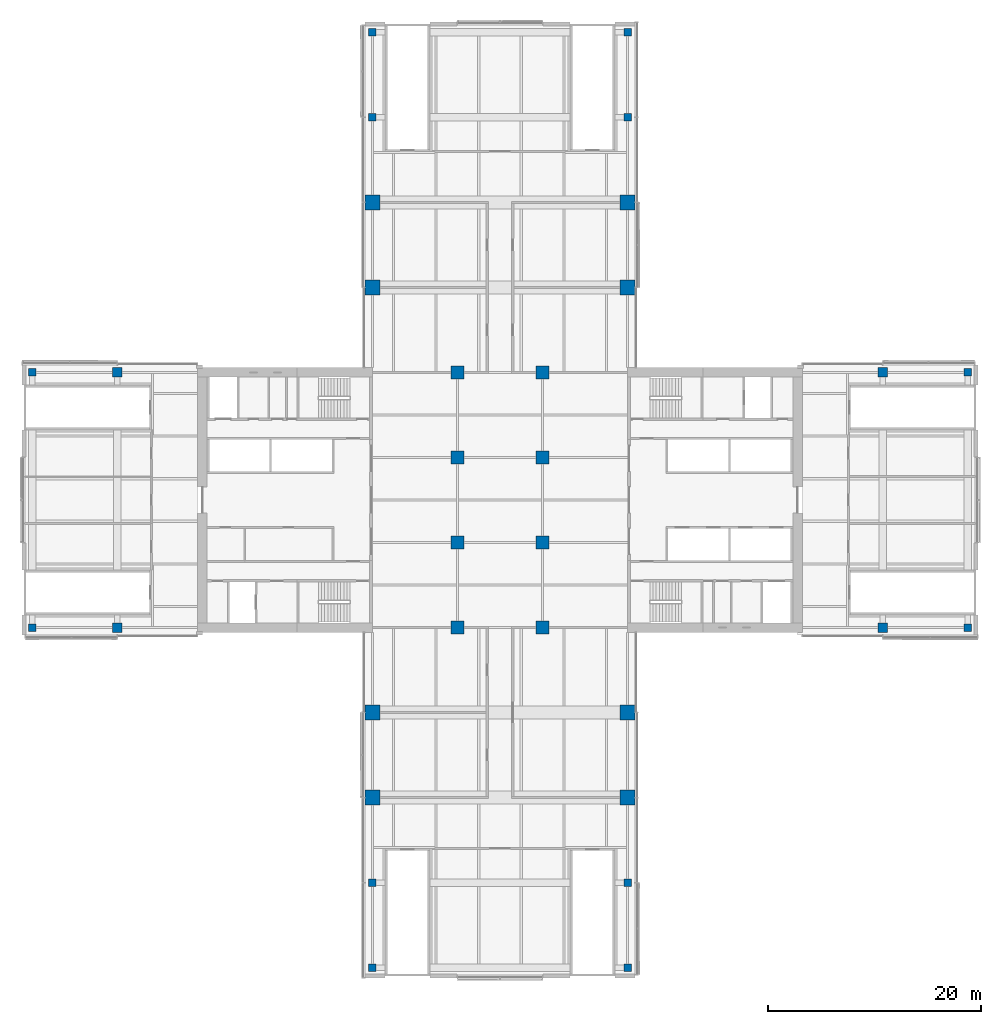
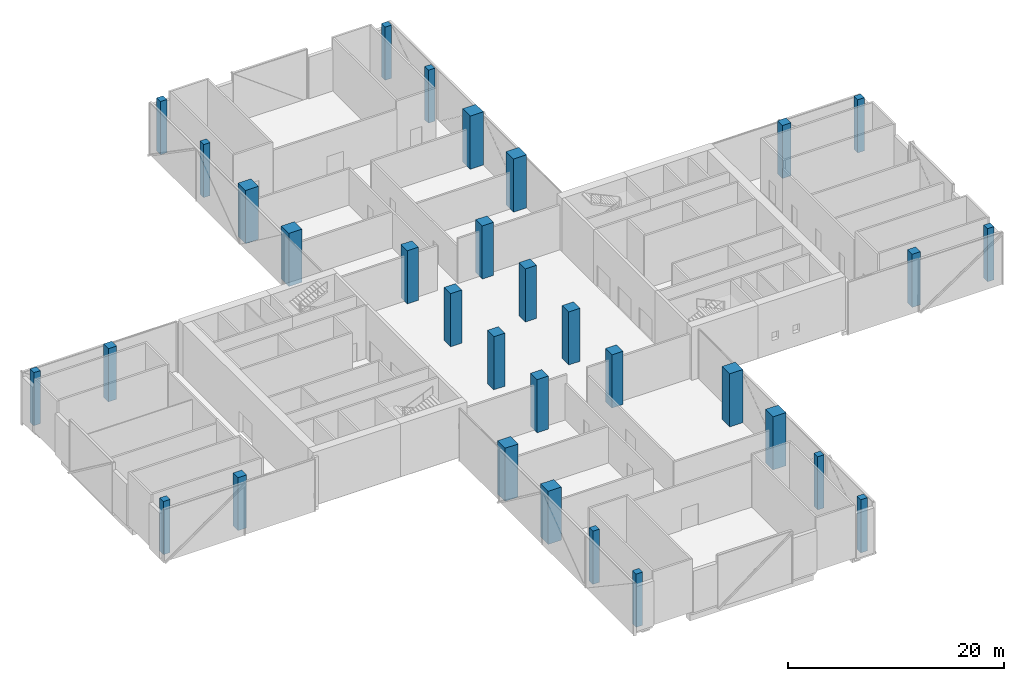
# One storey, part 1 of 23: 32 columns.
"""IFC4 building model written with IfcOpenShell, lengths in metres."""

from ifc_helpers import new_model, si_unit, direction, frame, origin, origin_2d, place, context, subcontext, project, spatial, rectangle, extrude, material, material_profile, profile_set, type_object, element, save


model = new_model("IFC4")

# Units and contexts
model_context = context("Model", 3, precision=1e-05, world=origin(), true_north=direction((0.0, 1.0)))
body_context = subcontext(model_context, "Body", "Model", "MODEL_VIEW")
ifc_project = project(units=[si_unit("LENGTHUNIT", "METRE"), si_unit("AREAUNIT", "SQUARE_METRE"), si_unit("VOLUMEUNIT", "CUBIC_METRE"), si_unit("PLANEANGLEUNIT", "RADIAN"), si_unit("MASSUNIT", "GRAM", prefix="KILO")], contexts=[model_context])

# Site, building, storey
site_placement = place(None, origin())
site = spatial("IfcSite", under=ifc_project, at=site_placement, CompositionType="ELEMENT")
building_placement = place(site_placement, origin())
building = spatial("IfcBuilding", under=site, at=building_placement, Name="Crosswind Convention Tower", CompositionType="ELEMENT")
storey_placement = place(building_placement, frame((0.0, 0.0, 41.5)))
storey = spatial("IfcBuildingStorey", under=building, at=storey_placement, Name="L05", CompositionType="ELEMENT", Elevation=41.5)

# Columns
ifc_material_1 = material(Name="Concrete C70/85", Category="concrete")
ifc_material_profile_1 = material_profile(ifc_material_1, rectangle(XDim=1.199951171875, YDim=1.199951171875, at=origin_2d()), Name="RC 1200X1200")
ifc_profile_set_1 = profile_set([ifc_material_profile_1], Name="Concrete C70/85")
column_type_1 = type_object("IfcColumnType", Name="Column RC 1200X1200", PredefinedType="COLUMN", material=ifc_profile_set_1)
for number, where, z_axis, x_axis, name in (
    (1, (121.0, 88.0, 0.0), (0.0, 0.0, 1.0), (1.0, 0.0, 0.0), "C11 L05 6/E"),
    (2, (121.0, 96.0, 0.0), (0.0, 0.0, 1.0), (1.0, 0.0, 0.0), "C11 L05 6/F"),
    (3, (121.0, 104.0, 0.0), (0.0, 0.0, 1.0), (1.0, 0.0, 0.0), "C11 L05 6/G"),
    (4, (121.0, 112.0, 0.0), (0.0, 0.0, 1.0), (1.0, 0.0, 0.0), "C11 L05 6/H"),
    (5, (129.0, 88.0, 0.0), (0.0, 0.0, 1.0), (1.0, 0.0, 0.0), "C11 L05 7/E"),
    (6, (129.0, 96.0, 0.0), (0.0, 0.0, 1.0), (1.0, 0.0, 0.0), "C11 L05 7/F"),
    (7, (129.0, 104.0, 0.0), (0.0, 0.0, 1.0), (1.0, 0.0, 0.0), "C11 L05 7/G"),
    (8, (129.0, 112.0, 0.0), (0.0, 0.0, 1.0), (1.0, 0.0, 0.0), "C11 L05 7/H"),
):
    element("IfcColumn", number, at=place(storey_placement, frame(where, z_axis=z_axis, x_axis=x_axis)), inside=storey, type_object=column_type_1, Name=name, PredefinedType="COLUMN", context=body_context, shape_type="SweptSolid", body=[
        extrude(rectangle(XDim=1.199951171875, YDim=1.199951171875, at=origin_2d()), origin(), (0.0, 0.0, 1.0), 6.0),
    ])
ifc_material_2 = material(Name="Concrete C80/95", Category="concrete")
ifc_material_profile_2 = material_profile(ifc_material_2, rectangle(XDim=1.39990234375, YDim=1.39990234375, at=origin_2d()), Name="RC 1400X1400")
ifc_profile_set_2 = profile_set([ifc_material_profile_2], Name="Concrete C80/95")
column_type_2 = type_object("IfcColumnType", Name="Column RC 1400X1400", PredefinedType="COLUMN", material=ifc_profile_set_2)
for number, where, z_axis, x_axis, name in (
    (9, (113.0, 72.0, 0.0), (0.0, 0.0, 1.0), (1.0, 0.0, 0.0), "C10 L05 5/C"),
    (10, (113.0, 80.0, 0.0), (0.0, 0.0, 1.0), (1.0, 0.0, 0.0), "C10 L05 5/D"),
    (11, (113.0, 120.0, 0.0), (0.0, 0.0, 1.0), (1.0, 0.0, 0.0), "C10 L05 5/I"),
    (12, (113.0, 128.0, 0.0), (0.0, 0.0, 1.0), (1.0, 0.0, 0.0), "C10 L05 5/J"),
    (13, (137.0, 72.0, 0.0), (0.0, 0.0, 1.0), (1.0, 0.0, 0.0), "C10 L05 8/C"),
    (14, (137.0, 80.0, 0.0), (0.0, 0.0, 1.0), (1.0, 0.0, 0.0), "C10 L05 8/D"),
    (15, (137.0, 120.0, 0.0), (0.0, 0.0, 1.0), (1.0, 0.0, 0.0), "C10 L05 8/I"),
    (16, (137.0, 128.0, 0.0), (0.0, 0.0, 1.0), (1.0, 0.0, 0.0), "C10 L05 8/J"),
):
    element("IfcColumn", number, at=place(storey_placement, frame(where, z_axis=z_axis, x_axis=x_axis)), inside=storey, type_object=column_type_2, Name=name, PredefinedType="COLUMN", context=body_context, shape_type="SweptSolid", body=[
        extrude(rectangle(XDim=1.39990234375, YDim=1.39990234375, at=origin_2d()), origin(), (0.0, 0.0, 1.0), 6.0),
    ])
ifc_material_3 = material(Name="Concrete C60/75", Category="concrete")
ifc_material_profile_3 = material_profile(ifc_material_3, rectangle(XDim=0.699951171875, YDim=0.699951171875, at=origin_2d()), Name="RC 700X700")
ifc_profile_set_3 = profile_set([ifc_material_profile_3], Name="Concrete C60/75")
column_type_3 = type_object("IfcColumnType", Name="Column RC 700X700", PredefinedType="COLUMN", material=ifc_profile_set_3)
for number, where, z_axis, x_axis, name in (
    (17, (81.0, 88.0, 0.0), (0.0, 0.0, 1.0), (1.0, 0.0, 0.0), "C15 L05 1/E"),
    (18, (81.0, 112.0, 0.0), (0.0, 0.0, 1.0), (1.0, 0.0, 0.0), "C15 L05 1/H"),
    (19, (113.0, 56.0, 0.0), (0.0, 0.0, 1.0), (1.0, 0.0, 0.0), "C15 L05 5/A"),
    (20, (113.0, 64.0, 0.0), (0.0, 0.0, 1.0), (1.0, 0.0, 0.0), "C15 L05 5/B"),
    (21, (113.0, 136.0, 0.0), (0.0, 0.0, 1.0), (1.0, 0.0, 0.0), "C15 L05 5/K"),
    (22, (113.0, 144.0, 0.0), (0.0, 0.0, 1.0), (1.0, 0.0, 0.0), "C15 L05 5/L"),
    (23, (137.0, 56.0, 0.0), (0.0, 0.0, 1.0), (1.0, 0.0, 0.0), "C15 L05 8/A"),
    (24, (137.0, 64.0, 0.0), (0.0, 0.0, 1.0), (1.0, 0.0, 0.0), "C15 L05 8/B"),
    (25, (137.0, 136.0, 0.0), (0.0, 0.0, 1.0), (1.0, 0.0, 0.0), "C15 L05 8/K"),
    (26, (137.0, 144.0, 0.0), (0.0, 0.0, 1.0), (1.0, 0.0, 0.0), "C15 L05 8/L"),
    (27, (169.0, 88.0, 0.0), (0.0, 0.0, 1.0), (1.0, 0.0, 0.0), "C15 L05 12/E"),
    (28, (169.0, 112.0, 0.0), (0.0, 0.0, 1.0), (1.0, 0.0, 0.0), "C15 L05 12/H"),
):
    element("IfcColumn", number, at=place(storey_placement, frame(where, z_axis=z_axis, x_axis=x_axis)), inside=storey, type_object=column_type_3, Name=name, PredefinedType="COLUMN", context=body_context, shape_type="SweptSolid", body=[
        extrude(rectangle(XDim=0.699951171875, YDim=0.699951171875, at=origin_2d()), origin(), (0.0, 0.0, 1.0), 6.0),
    ])
ifc_material_profile_4 = material_profile(ifc_material_3, rectangle(XDim=0.89990234375, YDim=0.89990234375, at=origin_2d()), Name="RC 900X900")
ifc_profile_set_4 = profile_set([ifc_material_profile_4], Name="Concrete C60/75")
column_type_4 = type_object("IfcColumnType", Name="Column RC 900X900", PredefinedType="COLUMN", material=ifc_profile_set_4)
for number, where, z_axis, x_axis, name in (
    (29, (89.0, 88.0, 0.0), (0.0, 0.0, 1.0), (1.0, 0.0, 0.0), "C13 L05 2/E"),
    (30, (89.0, 112.0, 0.0), (0.0, 0.0, 1.0), (1.0, 0.0, 0.0), "C13 L05 2/H"),
    (31, (161.0, 88.0, 0.0), (0.0, 0.0, 1.0), (1.0, 0.0, 0.0), "C13 L05 11/E"),
    (32, (161.0, 112.0, 0.0), (0.0, 0.0, 1.0), (1.0, 0.0, 0.0), "C13 L05 11/H"),
):
    element("IfcColumn", number, at=place(storey_placement, frame(where, z_axis=z_axis, x_axis=x_axis)), inside=storey, type_object=column_type_4, Name=name, PredefinedType="COLUMN", context=body_context, shape_type="SweptSolid", body=[
        extrude(rectangle(XDim=0.89990234375, YDim=0.89990234375, at=origin_2d()), origin(), (0.0, 0.0, 1.0), 6.0),
    ])

save(model, "model.ifc")
